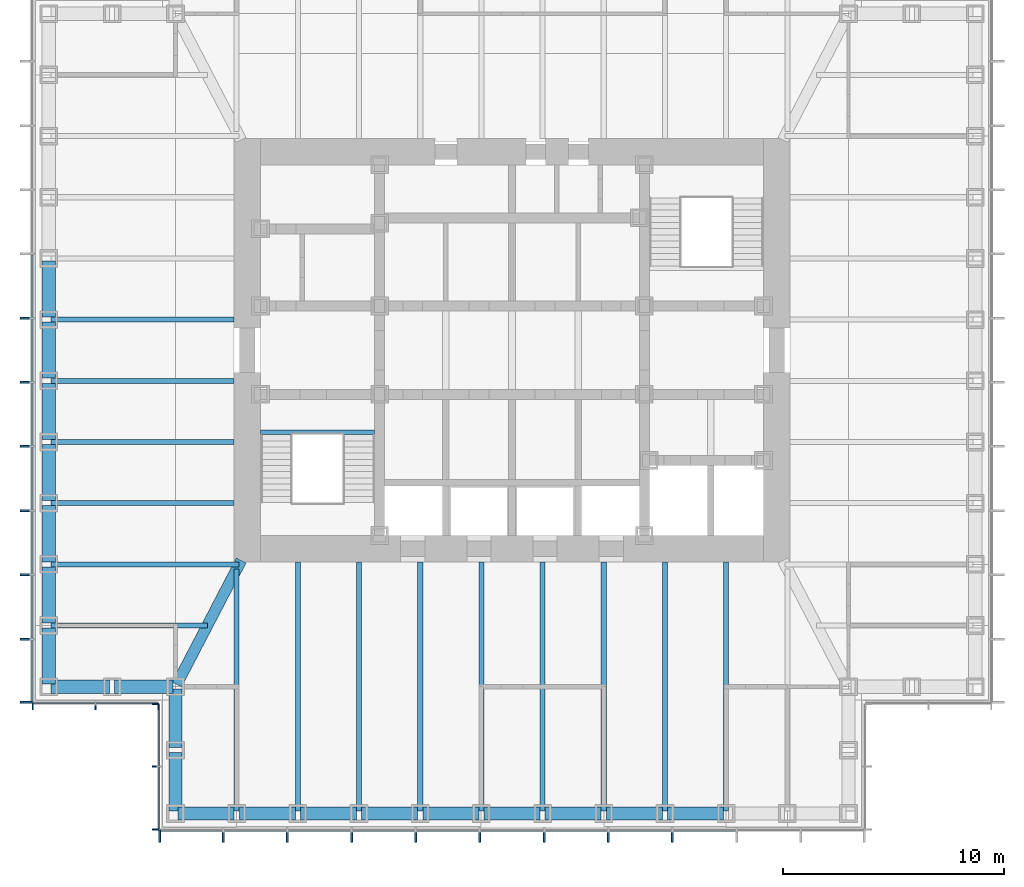
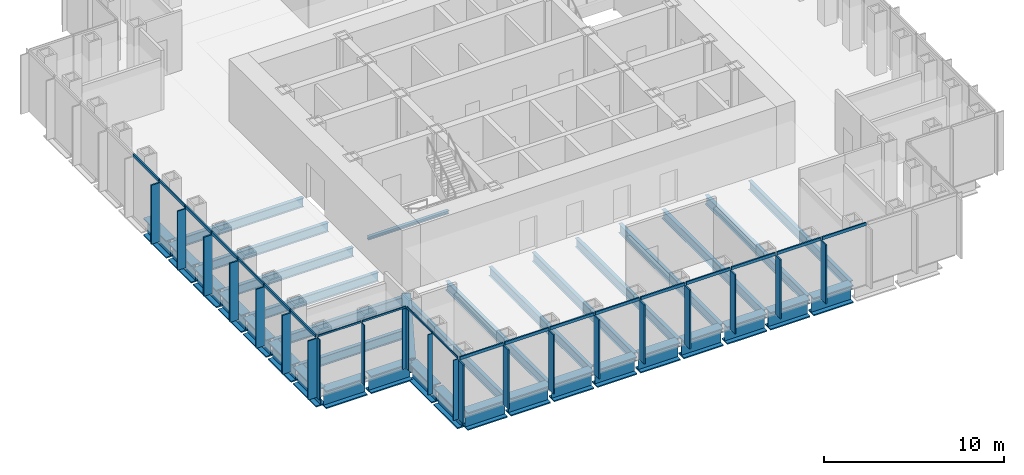
# One storey, part 2 of 16: 42 members, 37 beams, 4 elements without a shape of their own.
"""IFC4 building model written with IfcOpenShell, lengths in metres."""

from ifc_helpers import new_model, si_unit, direction, frame, origin, origin_2d, place, context, subcontext, project, spatial, rectangle, i_section, extrude, material, material_profile, profile_set, type_object, element, aggregate, save


model = new_model("IFC4")

# Units and contexts
model_context = context("Model", 3, precision=1e-05, world=origin(), true_north=direction((0.0, 1.0)))
body_context = subcontext(model_context, "Body", "Model", "MODEL_VIEW")
ifc_project = project(units=[si_unit("LENGTHUNIT", "METRE"), si_unit("AREAUNIT", "SQUARE_METRE"), si_unit("VOLUMEUNIT", "CUBIC_METRE"), si_unit("PLANEANGLEUNIT", "RADIAN"), si_unit("MASSUNIT", "GRAM", prefix="KILO")], contexts=[model_context])

# Site, building, storey
site_placement = place(None, origin())
site = spatial("IfcSite", under=ifc_project, at=site_placement, CompositionType="ELEMENT")
building_placement = place(site_placement, origin())
building = spatial("IfcBuilding", under=site, at=building_placement, Name="Daluyong Arena Tower", CompositionType="ELEMENT")
storey_placement = place(building_placement, frame((0.0, 0.0, 258.699951171875)))
storey = spatial("IfcBuildingStorey", under=building, at=storey_placement, Name="L58", CompositionType="ELEMENT", Elevation=258.699951171875)

# Curtain wall, members
ifc_material_1 = material(Name="Bronze anodised aluminium and glass", Category="aluminium")
curtain_wall_type_1 = type_object("IfcCurtainWallType", Name="Curtain wall CW4", PredefinedType="USERDEFINED", material=ifc_material_1)
curtain_wall_1_placement = place(storey_placement, origin())
curtain_wall_1 = element("IfcCurtainWall", 1, at=curtain_wall_1_placement, inside=storey, type_object=curtain_wall_type_1, Name="curtain wall L58 S", ObjectType="UNITISED CURTAIN WALL", PredefinedType="USERDEFINED")
ifc_material_2 = material(Name="Bronze anodised aluminium fin", Category="aluminium")
ifc_material_profile_1 = material_profile(ifc_material_2, rectangle(XDim=0.550048828125, YDim=0.090087890625, at=origin_2d()))
ifc_profile_set_1 = profile_set([ifc_material_profile_1], Name="Bronze anodised aluminium fin")
member_type_1 = type_object("IfcMemberType", Name="CW4 bronze fin 550x90", PredefinedType="MULLION", material=ifc_profile_set_1)
member_1_placement = place(storey_placement, frame((40.044921875, 57.97509765625, 0.0), z_axis=(0.0, 0.0, 1.0), x_axis=(0.0, 1.0, 0.0)))
member_1 = element("IfcMember", 2, at=member_1_placement, type_object=member_type_1, Name="curtain wall L58 S fin 1", PredefinedType="MULLION", context=body_context, shape_type="SweptSolid", body=[
    extrude(rectangle(XDim=0.550048828125, YDim=0.090087890625, at=origin_2d()), origin(), (0.0, 0.0, 1.0), 4.0),
])
member_2_placement = place(storey_placement, frame((42.9091796875, 57.97509765625, 0.0), z_axis=(0.0, 0.0, 1.0), x_axis=(0.0, 1.0, 0.0)))
member_2 = element("IfcMember", 3, at=member_2_placement, type_object=member_type_1, Name="curtain wall L58 S fin 2", PredefinedType="MULLION", context=body_context, shape_type="SweptSolid", body=[
    extrude(rectangle(XDim=0.550048828125, YDim=0.090087890625, at=origin_2d()), origin(), (0.0, 0.0, 1.0), 4.0),
])
member_3_placement = place(storey_placement, frame((45.818115234375, 57.97509765625, 0.0), z_axis=(0.0, 0.0, 1.0), x_axis=(0.0, 1.0, 0.0)))
member_3 = element("IfcMember", 4, at=member_3_placement, type_object=member_type_1, Name="curtain wall L58 S fin 3", PredefinedType="MULLION", context=body_context, shape_type="SweptSolid", body=[
    extrude(rectangle(XDim=0.550048828125, YDim=0.090087890625, at=origin_2d()), origin(), (0.0, 0.0, 1.0), 4.0),
])
member_4_placement = place(storey_placement, frame((48.727294921875, 57.97509765625, 0.0), z_axis=(0.0, 0.0, 1.0), x_axis=(0.0, 1.0, 0.0)))
member_4 = element("IfcMember", 5, at=member_4_placement, type_object=member_type_1, Name="curtain wall L58 S fin 4", PredefinedType="MULLION", context=body_context, shape_type="SweptSolid", body=[
    extrude(rectangle(XDim=0.550048828125, YDim=0.090087890625, at=origin_2d()), origin(), (0.0, 0.0, 1.0), 4.0),
])
member_5_placement = place(storey_placement, frame((51.636474609375, 57.97509765625, 0.0), z_axis=(0.0, 0.0, 1.0), x_axis=(0.0, 1.0, 0.0)))
member_5 = element("IfcMember", 6, at=member_5_placement, type_object=member_type_1, Name="curtain wall L58 S fin 5", PredefinedType="MULLION", context=body_context, shape_type="SweptSolid", body=[
    extrude(rectangle(XDim=0.550048828125, YDim=0.090087890625, at=origin_2d()), origin(), (0.0, 0.0, 1.0), 4.0),
])
member_6_placement = place(storey_placement, frame((54.54541015625, 57.97509765625, 0.0), z_axis=(0.0, 0.0, 1.0), x_axis=(0.0, 1.0, 0.0)))
member_6 = element("IfcMember", 7, at=member_6_placement, type_object=member_type_1, Name="curtain wall L58 S fin 6", PredefinedType="MULLION", context=body_context, shape_type="SweptSolid", body=[
    extrude(rectangle(XDim=0.550048828125, YDim=0.090087890625, at=origin_2d()), origin(), (0.0, 0.0, 1.0), 4.0),
])
member_7_placement = place(storey_placement, frame((57.45458984375, 57.97509765625, 0.0), z_axis=(0.0, 0.0, 1.0), x_axis=(0.0, 1.0, 0.0)))
member_7 = element("IfcMember", 8, at=member_7_placement, type_object=member_type_1, Name="curtain wall L58 S fin 7", PredefinedType="MULLION", context=body_context, shape_type="SweptSolid", body=[
    extrude(rectangle(XDim=0.550048828125, YDim=0.090087890625, at=origin_2d()), origin(), (0.0, 0.0, 1.0), 4.0),
])
member_8_placement = place(storey_placement, frame((60.363525390625, 57.97509765625, 0.0), z_axis=(0.0, 0.0, 1.0), x_axis=(0.0, 1.0, 0.0)))
member_8 = element("IfcMember", 9, at=member_8_placement, type_object=member_type_1, Name="curtain wall L58 S fin 8", PredefinedType="MULLION", context=body_context, shape_type="SweptSolid", body=[
    extrude(rectangle(XDim=0.550048828125, YDim=0.090087890625, at=origin_2d()), origin(), (0.0, 0.0, 1.0), 4.0),
])
member_9_placement = place(storey_placement, frame((63.272705078125, 57.97509765625, 0.0), z_axis=(0.0, 0.0, 1.0), x_axis=(0.0, 1.0, 0.0)))
member_9 = element("IfcMember", 10, at=member_9_placement, type_object=member_type_1, Name="curtain wall L58 S fin 9", PredefinedType="MULLION", context=body_context, shape_type="SweptSolid", body=[
    extrude(rectangle(XDim=0.550048828125, YDim=0.090087890625, at=origin_2d()), origin(), (0.0, 0.0, 1.0), 4.0),
])

curtain_wall_2_placement = place(storey_placement, origin())
curtain_wall_2 = element("IfcCurtainWall", 11, at=curtain_wall_2_placement, inside=storey, type_object=curtain_wall_type_1, Name="curtain wall L58 W", ObjectType="UNITISED CURTAIN WALL", PredefinedType="USERDEFINED")
member_10_placement = place(storey_placement, frame((33.97509765625, 81.45458984375, 0.0), z_axis=(0.0, 0.0, 1.0), x_axis=(1.0, 0.0, 0.0)))
member_10 = element("IfcMember", 12, at=member_10_placement, type_object=member_type_1, Name="curtain wall L58 W fin 6", PredefinedType="MULLION", context=body_context, shape_type="SweptSolid", body=[
    extrude(rectangle(XDim=0.550048828125, YDim=0.090087890625, at=origin_2d()), origin(), (0.0, 0.0, 1.0), 4.0),
])
member_11_placement = place(storey_placement, frame((33.97509765625, 78.54541015625, 0.0), z_axis=(0.0, 0.0, 1.0), x_axis=(1.0, 0.0, 0.0)))
member_11 = element("IfcMember", 13, at=member_11_placement, type_object=member_type_1, Name="curtain wall L58 W fin 7", PredefinedType="MULLION", context=body_context, shape_type="SweptSolid", body=[
    extrude(rectangle(XDim=0.550048828125, YDim=0.090087890625, at=origin_2d()), origin(), (0.0, 0.0, 1.0), 4.0),
])
member_12_placement = place(storey_placement, frame((33.97509765625, 75.636474609375, 0.0), z_axis=(0.0, 0.0, 1.0), x_axis=(1.0, 0.0, 0.0)))
member_12 = element("IfcMember", 14, at=member_12_placement, type_object=member_type_1, Name="curtain wall L58 W fin 8", PredefinedType="MULLION", context=body_context, shape_type="SweptSolid", body=[
    extrude(rectangle(XDim=0.550048828125, YDim=0.090087890625, at=origin_2d()), origin(), (0.0, 0.0, 1.0), 4.0),
])
member_13_placement = place(storey_placement, frame((33.97509765625, 72.727294921875, 0.0), z_axis=(0.0, 0.0, 1.0), x_axis=(1.0, 0.0, 0.0)))
member_13 = element("IfcMember", 15, at=member_13_placement, type_object=member_type_1, Name="curtain wall L58 W fin 9", PredefinedType="MULLION", context=body_context, shape_type="SweptSolid", body=[
    extrude(rectangle(XDim=0.550048828125, YDim=0.090087890625, at=origin_2d()), origin(), (0.0, 0.0, 1.0), 4.0),
])
member_14_placement = place(storey_placement, frame((33.97509765625, 69.818115234375, 0.0), z_axis=(0.0, 0.0, 1.0), x_axis=(1.0, 0.0, 0.0)))
member_14 = element("IfcMember", 16, at=member_14_placement, type_object=member_type_1, Name="curtain wall L58 W fin 10", PredefinedType="MULLION", context=body_context, shape_type="SweptSolid", body=[
    extrude(rectangle(XDim=0.550048828125, YDim=0.090087890625, at=origin_2d()), origin(), (0.0, 0.0, 1.0), 4.0),
])
member_15_placement = place(storey_placement, frame((33.97509765625, 66.9091796875, 0.0), z_axis=(0.0, 0.0, 1.0), x_axis=(1.0, 0.0, 0.0)))
member_15 = element("IfcMember", 17, at=member_15_placement, type_object=member_type_1, Name="curtain wall L58 W fin 11", PredefinedType="MULLION", context=body_context, shape_type="SweptSolid", body=[
    extrude(rectangle(XDim=0.550048828125, YDim=0.090087890625, at=origin_2d()), origin(), (0.0, 0.0, 1.0), 4.0),
])
member_16_placement = place(storey_placement, frame((33.97509765625, 64.044921875, 0.0), z_axis=(0.0, 0.0, 1.0), x_axis=(1.0, 0.0, 0.0)))
member_16 = element("IfcMember", 18, at=member_16_placement, type_object=member_type_1, Name="curtain wall L58 W fin 12", PredefinedType="MULLION", context=body_context, shape_type="SweptSolid", body=[
    extrude(rectangle(XDim=0.550048828125, YDim=0.090087890625, at=origin_2d()), origin(), (0.0, 0.0, 1.0), 4.0),
])

# Member
ifc_material_3 = material(Name="Bronze anodised aluminium", Category="aluminium")
ifc_material_profile_2 = material_profile(ifc_material_3, rectangle(XDim=0.090087890625, YDim=0.199951171875, at=origin_2d()))
ifc_profile_set_2 = profile_set([ifc_material_profile_2], Name="Bronze anodised aluminium")
member_type_2 = type_object("IfcMemberType", Name="CW4 stack transom 200x90", PredefinedType="USERDEFINED", material=ifc_profile_set_2)
member_17_placement = place(storey_placement, frame((40.090087890625, 58.25, 4.10009765625), z_axis=(1.0, 0.0, 0.0), x_axis=(0.0, 1.0, 0.0)))
member_17 = element("IfcMember", 19, at=member_17_placement, type_object=member_type_2, Name="curtain wall L58 S transom 1", ObjectType="TRANSOM", PredefinedType="USERDEFINED", context=body_context, shape_type="SweptSolid", body=[
    extrude(rectangle(XDim=0.090087890625, YDim=0.199951171875, at=origin_2d()), origin(), (0.0, 0.0, 1.0), 2.77392578125),
])

member_18_placement = place(storey_placement, frame((42.9541015625, 58.25, 4.10009765625), z_axis=(1.0, 0.0, 0.0), x_axis=(0.0, 1.0, 0.0)))
member_18 = element("IfcMember", 20, at=member_18_placement, type_object=member_type_2, Name="curtain wall L58 S transom 2", ObjectType="TRANSOM", PredefinedType="USERDEFINED", context=body_context, shape_type="SweptSolid", body=[
    extrude(rectangle(XDim=0.090087890625, YDim=0.199951171875, at=origin_2d()), origin(), (0.0, 0.0, 1.0), 2.819091796875),
])

member_19_placement = place(storey_placement, frame((45.86328125, 58.25, 4.10009765625), z_axis=(1.0, 0.0, 0.0), x_axis=(0.0, 1.0, 0.0)))
member_19 = element("IfcMember", 21, at=member_19_placement, type_object=member_type_2, Name="curtain wall L58 S transom 3", ObjectType="TRANSOM", PredefinedType="USERDEFINED", context=body_context, shape_type="SweptSolid", body=[
    extrude(rectangle(XDim=0.090087890625, YDim=0.199951171875, at=origin_2d()), origin(), (0.0, 0.0, 1.0), 2.819091796875),
])

member_20_placement = place(storey_placement, frame((48.772216796875, 58.25, 4.10009765625), z_axis=(1.0, 0.0, 0.0), x_axis=(0.0, 1.0, 0.0)))
member_20 = element("IfcMember", 22, at=member_20_placement, type_object=member_type_2, Name="curtain wall L58 S transom 4", ObjectType="TRANSOM", PredefinedType="USERDEFINED", context=body_context, shape_type="SweptSolid", body=[
    extrude(rectangle(XDim=0.090087890625, YDim=0.199951171875, at=origin_2d()), origin(), (0.0, 0.0, 1.0), 2.819091796875),
])

member_21_placement = place(storey_placement, frame((51.681396484375, 58.25, 4.10009765625), z_axis=(1.0, 0.0, 0.0), x_axis=(0.0, 1.0, 0.0)))
member_21 = element("IfcMember", 23, at=member_21_placement, type_object=member_type_2, Name="curtain wall L58 S transom 5", ObjectType="TRANSOM", PredefinedType="USERDEFINED", context=body_context, shape_type="SweptSolid", body=[
    extrude(rectangle(XDim=0.090087890625, YDim=0.199951171875, at=origin_2d()), origin(), (0.0, 0.0, 1.0), 2.819091796875),
])

member_22_placement = place(storey_placement, frame((54.590576171875, 58.25, 4.10009765625), z_axis=(1.0, 0.0, 0.0), x_axis=(0.0, 1.0, 0.0)))
member_22 = element("IfcMember", 24, at=member_22_placement, type_object=member_type_2, Name="curtain wall L58 S transom 6", ObjectType="TRANSOM", PredefinedType="USERDEFINED", context=body_context, shape_type="SweptSolid", body=[
    extrude(rectangle(XDim=0.090087890625, YDim=0.199951171875, at=origin_2d()), origin(), (0.0, 0.0, 1.0), 2.81884765625),
])

member_23_placement = place(storey_placement, frame((57.49951171875, 58.25, 4.10009765625), z_axis=(1.0, 0.0, 0.0), x_axis=(0.0, 1.0, 0.0)))
member_23 = element("IfcMember", 25, at=member_23_placement, type_object=member_type_2, Name="curtain wall L58 S transom 7", ObjectType="TRANSOM", PredefinedType="USERDEFINED", context=body_context, shape_type="SweptSolid", body=[
    extrude(rectangle(XDim=0.090087890625, YDim=0.199951171875, at=origin_2d()), origin(), (0.0, 0.0, 1.0), 2.819091796875),
])

member_24_placement = place(storey_placement, frame((60.40869140625, 58.25, 4.10009765625), z_axis=(1.0, 0.0, 0.0), x_axis=(0.0, 1.0, 0.0)))
member_24 = element("IfcMember", 26, at=member_24_placement, type_object=member_type_2, Name="curtain wall L58 S transom 8", ObjectType="TRANSOM", PredefinedType="USERDEFINED", context=body_context, shape_type="SweptSolid", body=[
    extrude(rectangle(XDim=0.090087890625, YDim=0.199951171875, at=origin_2d()), origin(), (0.0, 0.0, 1.0), 2.819091796875),
])

member_25_placement = place(storey_placement, frame((63.317626953125, 58.25, 4.10009765625), z_axis=(1.0, 0.0, 0.0), x_axis=(0.0, 1.0, 0.0)))
member_25 = element("IfcMember", 27, at=member_25_placement, type_object=member_type_2, Name="curtain wall L58 S transom 9", ObjectType="TRANSOM", PredefinedType="USERDEFINED", context=body_context, shape_type="SweptSolid", body=[
    extrude(rectangle(XDim=0.090087890625, YDim=0.199951171875, at=origin_2d()), origin(), (0.0, 0.0, 1.0), 2.819091796875),
])

aggregate(curtain_wall_1, [member_1, member_2, member_3, member_4, member_5, member_6, member_7, member_8, member_9, member_17, member_18, member_19, member_20, member_21, member_22, member_23, member_24, member_25])

member_26_placement = place(storey_placement, frame((34.25, 84.318603515625, 4.10009765625), z_axis=(0.0, -1.0, 0.0), x_axis=(1.0, 0.0, 0.0)))
member_26 = element("IfcMember", 28, at=member_26_placement, type_object=member_type_2, Name="curtain wall L58 W transom 5", ObjectType="TRANSOM", PredefinedType="USERDEFINED", context=body_context, shape_type="SweptSolid", body=[
    extrude(rectangle(XDim=0.090087890625, YDim=0.199951171875, at=origin_2d()), origin(), (0.0, 0.0, 1.0), 2.819091796875),
])

member_27_placement = place(storey_placement, frame((34.25, 81.409423828125, 4.10009765625), z_axis=(0.0, -1.0, 0.0), x_axis=(1.0, 0.0, 0.0)))
member_27 = element("IfcMember", 29, at=member_27_placement, type_object=member_type_2, Name="curtain wall L58 W transom 6", ObjectType="TRANSOM", PredefinedType="USERDEFINED", context=body_context, shape_type="SweptSolid", body=[
    extrude(rectangle(XDim=0.090087890625, YDim=0.199951171875, at=origin_2d()), origin(), (0.0, 0.0, 1.0), 2.81884765625),
])

member_28_placement = place(storey_placement, frame((34.25, 78.50048828125, 4.10009765625), z_axis=(0.0, -1.0, 0.0), x_axis=(1.0, 0.0, 0.0)))
member_28 = element("IfcMember", 30, at=member_28_placement, type_object=member_type_2, Name="curtain wall L58 W transom 7", ObjectType="TRANSOM", PredefinedType="USERDEFINED", context=body_context, shape_type="SweptSolid", body=[
    extrude(rectangle(XDim=0.090087890625, YDim=0.199951171875, at=origin_2d()), origin(), (0.0, 0.0, 1.0), 2.819091796875),
])

member_29_placement = place(storey_placement, frame((34.25, 75.59130859375, 4.10009765625), z_axis=(0.0, -1.0, 0.0), x_axis=(1.0, 0.0, 0.0)))
member_29 = element("IfcMember", 31, at=member_29_placement, type_object=member_type_2, Name="curtain wall L58 W transom 8", ObjectType="TRANSOM", PredefinedType="USERDEFINED", context=body_context, shape_type="SweptSolid", body=[
    extrude(rectangle(XDim=0.090087890625, YDim=0.199951171875, at=origin_2d()), origin(), (0.0, 0.0, 1.0), 2.819091796875),
])

member_30_placement = place(storey_placement, frame((34.25, 72.682373046875, 4.10009765625), z_axis=(0.0, -1.0, 0.0), x_axis=(1.0, 0.0, 0.0)))
member_30 = element("IfcMember", 32, at=member_30_placement, type_object=member_type_2, Name="curtain wall L58 W transom 9", ObjectType="TRANSOM", PredefinedType="USERDEFINED", context=body_context, shape_type="SweptSolid", body=[
    extrude(rectangle(XDim=0.090087890625, YDim=0.199951171875, at=origin_2d()), origin(), (0.0, 0.0, 1.0), 2.819091796875),
])

member_31_placement = place(storey_placement, frame((34.25, 69.773193359375, 4.10009765625), z_axis=(0.0, -1.0, 0.0), x_axis=(1.0, 0.0, 0.0)))
member_31 = element("IfcMember", 33, at=member_31_placement, type_object=member_type_2, Name="curtain wall L58 W transom 10", ObjectType="TRANSOM", PredefinedType="USERDEFINED", context=body_context, shape_type="SweptSolid", body=[
    extrude(rectangle(XDim=0.090087890625, YDim=0.199951171875, at=origin_2d()), origin(), (0.0, 0.0, 1.0), 2.819091796875),
])

member_32_placement = place(storey_placement, frame((34.25, 66.864013671875, 4.10009765625), z_axis=(0.0, -1.0, 0.0), x_axis=(1.0, 0.0, 0.0)))
member_32 = element("IfcMember", 34, at=member_32_placement, type_object=member_type_2, Name="curtain wall L58 W transom 11", ObjectType="TRANSOM", PredefinedType="USERDEFINED", context=body_context, shape_type="SweptSolid", body=[
    extrude(rectangle(XDim=0.090087890625, YDim=0.199951171875, at=origin_2d()), origin(), (0.0, 0.0, 1.0), 2.77392578125),
])

aggregate(curtain_wall_2, [member_10, member_11, member_12, member_13, member_14, member_15, member_16, member_26, member_27, member_28, member_29, member_30, member_31, member_32])

# Curtain wall, members
ifc_material_4 = material(Name="Bronze anodised aluminium and glass", Category="aluminium")
curtain_wall_type_2 = type_object("IfcCurtainWallType", Name="Curtain wall CW7", PredefinedType="USERDEFINED", material=ifc_material_4)
curtain_wall_3_placement = place(storey_placement, origin())
curtain_wall_3 = element("IfcCurtainWall", 35, at=curtain_wall_3_placement, inside=storey, type_object=curtain_wall_type_2, Name="curtain wall L58 SW-S", ObjectType="UNITISED CURTAIN WALL", PredefinedType="USERDEFINED")
ifc_material_5 = material(Name="Bronze anodised aluminium fin", Category="aluminium")
ifc_material_profile_3 = material_profile(ifc_material_5, rectangle(XDim=0.300048828125, YDim=0.06005859375, at=origin_2d()))
ifc_profile_set_3 = profile_set([ifc_material_profile_3], Name="Bronze anodised aluminium fin")
member_type_3 = type_object("IfcMemberType", Name="CW7 bronze fin 300x60", PredefinedType="MULLION", material=ifc_profile_set_3)
member_33_placement = place(storey_placement, frame((34.280029296875, 63.85009765625, 0.0), z_axis=(0.0, 0.0, 1.0), x_axis=(0.0, 1.0, 0.0)))
member_33 = element("IfcMember", 36, at=member_33_placement, type_object=member_type_3, Name="curtain wall L58 SW-S fin 1", PredefinedType="MULLION", context=body_context, shape_type="SweptSolid", body=[
    extrude(rectangle(XDim=0.300048828125, YDim=0.06005859375, at=origin_2d()), origin(), (0.0, 0.0, 1.0), 4.080078125),
])
member_34_placement = place(storey_placement, frame((37.125, 63.85009765625, 0.0), z_axis=(0.0, 0.0, 1.0), x_axis=(0.0, 1.0, 0.0)))
member_34 = element("IfcMember", 37, at=member_34_placement, type_object=member_type_3, Name="curtain wall L58 SW-S fin 2", PredefinedType="MULLION", context=body_context, shape_type="SweptSolid", body=[
    extrude(rectangle(XDim=0.300048828125, YDim=0.06005859375, at=origin_2d()), origin(), (0.0, 0.0, 1.0), 4.080078125),
])
member_35_placement = place(storey_placement, frame((39.969970703125, 63.85009765625, 0.0), z_axis=(0.0, 0.0, 1.0), x_axis=(0.0, 1.0, 0.0)))
member_35 = element("IfcMember", 38, at=member_35_placement, type_object=member_type_3, Name="curtain wall L58 SW-S fin 3", PredefinedType="MULLION", context=body_context, shape_type="SweptSolid", body=[
    extrude(rectangle(XDim=0.300048828125, YDim=0.06005859375, at=origin_2d()), origin(), (0.0, 0.0, 1.0), 4.080078125),
])

curtain_wall_4_placement = place(storey_placement, origin())
curtain_wall_4 = element("IfcCurtainWall", 39, at=curtain_wall_4_placement, inside=storey, type_object=curtain_wall_type_2, Name="curtain wall L58 SW-W", ObjectType="UNITISED CURTAIN WALL", PredefinedType="USERDEFINED")
member_36_placement = place(storey_placement, frame((39.85009765625, 63.969970703125, 0.0), z_axis=(0.0, 0.0, 1.0), x_axis=(1.0, 0.0, 0.0)))
member_36 = element("IfcMember", 40, at=member_36_placement, type_object=member_type_3, Name="curtain wall L58 SW-W fin 1", PredefinedType="MULLION", context=body_context, shape_type="SweptSolid", body=[
    extrude(rectangle(XDim=0.300048828125, YDim=0.06005859375, at=origin_2d()), origin(), (0.0, 0.0, 1.0), 4.080078125),
])
member_37_placement = place(storey_placement, frame((39.85009765625, 61.125, 0.0), z_axis=(0.0, 0.0, 1.0), x_axis=(1.0, 0.0, 0.0)))
member_37 = element("IfcMember", 41, at=member_37_placement, type_object=member_type_3, Name="curtain wall L58 SW-W fin 2", PredefinedType="MULLION", context=body_context, shape_type="SweptSolid", body=[
    extrude(rectangle(XDim=0.300048828125, YDim=0.06005859375, at=origin_2d()), origin(), (0.0, 0.0, 1.0), 4.080078125),
])
member_38_placement = place(storey_placement, frame((39.85009765625, 58.280029296875, 0.0), z_axis=(0.0, 0.0, 1.0), x_axis=(1.0, 0.0, 0.0)))
member_38 = element("IfcMember", 42, at=member_38_placement, type_object=member_type_3, Name="curtain wall L58 SW-W fin 3", PredefinedType="MULLION", context=body_context, shape_type="SweptSolid", body=[
    extrude(rectangle(XDim=0.300048828125, YDim=0.06005859375, at=origin_2d()), origin(), (0.0, 0.0, 1.0), 4.080078125),
])

# Member
ifc_material_6 = material(Name="Bronze anodised aluminium", Category="aluminium")
ifc_material_profile_4 = material_profile(ifc_material_6, rectangle(XDim=0.06005859375, YDim=0.1201171875, at=origin_2d()))
ifc_profile_set_4 = profile_set([ifc_material_profile_4], Name="Bronze anodised aluminium")
member_type_4 = type_object("IfcMemberType", Name="CW7 stack transom 120x60", PredefinedType="USERDEFINED", material=ifc_profile_set_4)
member_39_placement = place(storey_placement, frame((34.31005859375, 64.0, 4.14013671875), z_axis=(1.0, 0.0, 0.0), x_axis=(0.0, 1.0, 0.0)))
member_39 = element("IfcMember", 43, at=member_39_placement, type_object=member_type_4, Name="curtain wall L58 SW-S transom 1", ObjectType="TRANSOM", PredefinedType="USERDEFINED", context=body_context, shape_type="SweptSolid", body=[
    extrude(rectangle(XDim=0.06005859375, YDim=0.1201171875, at=origin_2d()), origin(), (0.0, 0.0, 1.0), 2.784912109375),
])

member_40_placement = place(storey_placement, frame((37.155029296875, 64.0, 4.14013671875), z_axis=(1.0, 0.0, 0.0), x_axis=(0.0, 1.0, 0.0)))
member_40 = element("IfcMember", 44, at=member_40_placement, type_object=member_type_4, Name="curtain wall L58 SW-S transom 2", ObjectType="TRANSOM", PredefinedType="USERDEFINED", context=body_context, shape_type="SweptSolid", body=[
    extrude(rectangle(XDim=0.06005859375, YDim=0.1201171875, at=origin_2d()), origin(), (0.0, 0.0, 1.0), 2.784912109375),
])

aggregate(curtain_wall_3, [member_33, member_34, member_35, member_39, member_40])

member_41_placement = place(storey_placement, frame((40.0, 63.93994140625, 4.14013671875), z_axis=(0.0, -1.0, 0.0), x_axis=(1.0, 0.0, 0.0)))
member_41 = element("IfcMember", 45, at=member_41_placement, type_object=member_type_4, Name="curtain wall L58 SW-W transom 1", ObjectType="TRANSOM", PredefinedType="USERDEFINED", context=body_context, shape_type="SweptSolid", body=[
    extrude(rectangle(XDim=0.06005859375, YDim=0.1201171875, at=origin_2d()), origin(), (0.0, 0.0, 1.0), 2.784912109375),
])

member_42_placement = place(storey_placement, frame((40.0, 61.094970703125, 4.14013671875), z_axis=(0.0, -1.0, 0.0), x_axis=(1.0, 0.0, 0.0)))
member_42 = element("IfcMember", 46, at=member_42_placement, type_object=member_type_4, Name="curtain wall L58 SW-W transom 2", ObjectType="TRANSOM", PredefinedType="USERDEFINED", context=body_context, shape_type="SweptSolid", body=[
    extrude(rectangle(XDim=0.06005859375, YDim=0.1201171875, at=origin_2d()), origin(), (0.0, 0.0, 1.0), 2.784912109375),
])

aggregate(curtain_wall_4, [member_36, member_37, member_38, member_41, member_42])

# Beams
ifc_material_7 = material(Name="Steel ASTM A572 Grade 50", Category="steel")
ifc_material_profile_5 = material_profile(ifc_material_7, i_section(OverallWidth=0.5, OverallDepth=1.0, WebThickness=0.03, FlangeThickness=0.06, at=origin_2d()))
ifc_profile_set_5 = profile_set([ifc_material_profile_5], Name="Steel ASTM A572 Grade 50")
beam_type_1 = type_object("IfcBeamType", Name="Corner girder TB1000X500", PredefinedType="BEAM", material=ifc_profile_set_5)
beam_1_placement = place(storey_placement, frame((40.802978515625, 64.85205078125, -0.659912109375), z_axis=(0.461351522179, 0.887217432754, 0.0), x_axis=(-0.887217432754, 0.461351522179, 0.0)))
element("IfcBeam", 47, at=beam_1_placement, inside=storey, type_object=beam_type_1, Name="corner girder DG2", PredefinedType="BEAM", context=body_context, shape_type="SweptSolid", body=[
    extrude(i_section(OverallWidth=0.5, OverallDepth=1.0, WebThickness=0.03, FlangeThickness=0.06, at=origin_2d()), origin(), (0.0, 0.0, 1.0), 6.32958984375),
])
ifc_material_8 = material(Name="Steel ASTM A992 Grade 50", Category="steel")
ifc_material_profile_6 = material_profile(ifc_material_8, i_section(OverallWidth=0.22900390625, OverallDepth=0.612060546875, WebThickness=0.011962890625, FlangeThickness=0.01953125, at=origin_2d()))
ifc_profile_set_6 = profile_set([ifc_material_profile_6], Name="Steel ASTM A992 Grade 50")
beam_type_2 = type_object("IfcBeamType", Name="Floor beam W24X84", PredefinedType="BEAM", material=ifc_profile_set_6)
beam_2_placement = place(storey_placement, frame((43.522705078125, 59.114990234375, -0.466064453125), z_axis=(0.0, 1.0, 0.0), x_axis=(-1.0, 0.0, 0.0)))
element("IfcBeam", 48, at=beam_2_placement, inside=storey, type_object=beam_type_2, Name="floor beam FB3", PredefinedType="BEAM", context=body_context, shape_type="SweptSolid", body=[
    extrude(i_section(OverallWidth=0.22900390625, OverallDepth=0.612060546875, WebThickness=0.011962890625, FlangeThickness=0.01953125, at=origin_2d()), origin(), (0.0, 0.0, 1.0), 10.96728515625),
])
for number, where, z_axis, x_axis, name in (
    (49, (46.29541015625, 59.114990234375, -0.466064453125), (0.0, 1.0, 0.0), (-1.0, 0.0, 0.0), "floor beam FB3"),
    (50, (49.068115234375, 59.114990234375, -0.466064453125), (0.0, 1.0, 0.0), (-1.0, 0.0, 0.0), "floor beam FB3"),
    (51, (51.8408203125, 59.114990234375, -0.466064453125), (0.0, 1.0, 0.0), (-1.0, 0.0, 0.0), "floor beam FB3"),
    (52, (54.613525390625, 59.114990234375, -0.466064453125), (0.0, 1.0, 0.0), (-1.0, 0.0, 0.0), "floor beam FB3"),
    (53, (57.386474609375, 59.114990234375, -0.466064453125), (0.0, 1.0, 0.0), (-1.0, 0.0, 0.0), "floor beam FB3"),
    (54, (60.1591796875, 59.114990234375, -0.466064453125), (0.0, 1.0, 0.0), (-1.0, 0.0, 0.0), "floor beam FB3"),
    (55, (62.931884765625, 59.114990234375, -0.466064453125), (0.0, 1.0, 0.0), (-1.0, 0.0, 0.0), "floor beam FB3"),
    (56, (65.70458984375, 59.114990234375, -0.466064453125), (0.0, 1.0, 0.0), (-1.0, 0.0, 0.0), "floor beam FB3"),
):
    element("IfcBeam", number, at=place(storey_placement, frame(where, z_axis=z_axis, x_axis=x_axis)), inside=storey, type_object=beam_type_2, Name=name, PredefinedType="BEAM", context=body_context, shape_type="SweptSolid", body=[
        extrude(i_section(OverallWidth=0.22900390625, OverallDepth=0.612060546875, WebThickness=0.011962890625, FlangeThickness=0.01953125, at=origin_2d()), origin(), (0.0, 0.0, 1.0), 11.284912109375),
    ])
for number, where, z_axis, x_axis, name in (
    (57, (35.114990234375, 81.386474609375, -0.466064453125), (1.0, 0.0, 0.0), (0.0, 1.0, 0.0), "floor beam FB3"),
    (58, (35.114990234375, 78.613525390625, -0.466064453125), (1.0, 0.0, 0.0), (0.0, 1.0, 0.0), "floor beam FB3"),
    (59, (35.114990234375, 75.8408203125, -0.466064453125), (1.0, 0.0, 0.0), (0.0, 1.0, 0.0), "floor beam FB3"),
    (60, (35.114990234375, 73.068115234375, -0.466064453125), (1.0, 0.0, 0.0), (0.0, 1.0, 0.0), "floor beam FB3"),
):
    element("IfcBeam", number, at=place(storey_placement, frame(where, z_axis=z_axis, x_axis=x_axis)), inside=storey, type_object=beam_type_2, Name=name, PredefinedType="BEAM", context=body_context, shape_type="SweptSolid", body=[
        extrude(i_section(OverallWidth=0.22900390625, OverallDepth=0.612060546875, WebThickness=0.011962890625, FlangeThickness=0.01953125, at=origin_2d()), origin(), (0.0, 0.0, 1.0), 8.284912109375),
    ])
beam_3_placement = place(storey_placement, frame((35.114990234375, 70.29541015625, -0.466064453125), z_axis=(1.0, 0.0, 0.0), x_axis=(0.0, 1.0, 0.0)))
element("IfcBeam", 61, at=beam_3_placement, inside=storey, type_object=beam_type_2, Name="floor beam FB3", PredefinedType="BEAM", context=body_context, shape_type="SweptSolid", body=[
    extrude(i_section(OverallWidth=0.22900390625, OverallDepth=0.612060546875, WebThickness=0.011962890625, FlangeThickness=0.01953125, at=origin_2d()), origin(), (0.0, 0.0, 1.0), 8.5185546875),
])
beam_4_placement = place(storey_placement, frame((35.114990234375, 67.522705078125, -0.466064453125), z_axis=(1.0, 0.0, 0.0), x_axis=(0.0, 1.0, 0.0)))
element("IfcBeam", 62, at=beam_4_placement, inside=storey, type_object=beam_type_2, Name="floor beam FB3", PredefinedType="BEAM", context=body_context, shape_type="SweptSolid", body=[
    extrude(i_section(OverallWidth=0.22900390625, OverallDepth=0.612060546875, WebThickness=0.011962890625, FlangeThickness=0.01953125, at=origin_2d()), origin(), (0.0, 0.0, 1.0), 7.076904296875),
])
ifc_material_9 = material(Name="Steel ASTM A572 Grade 50", Category="steel")
ifc_material_profile_7 = material_profile(ifc_material_9, i_section(OverallWidth=0.60009765625, OverallDepth=1.199951171875, WebThickness=0.03, FlangeThickness=0.08, at=origin_2d()))
ifc_profile_set_7 = profile_set([ifc_material_profile_7], Name="Steel ASTM A572 Grade 50")
beam_type_3 = type_object("IfcBeamType", Name="Spandrel Z4 PG1200X600", PredefinedType="SPANDREL", material=ifc_profile_set_7)
for number, where, z_axis, x_axis, name in (
    (63, (40.864990234375, 59.0, -0.760009765625), (1.0, 0.0, 0.0), (0.0, 1.0, 0.0), "spandrel z4 SB9"),
    (64, (43.6376953125, 59.0, -0.760009765625), (1.0, 0.0, 0.0), (0.0, 1.0, 0.0), "spandrel z4 SB9"),
    (65, (46.410400390625, 59.0, -0.760009765625), (1.0, 0.0, 0.0), (0.0, 1.0, 0.0), "spandrel z4 SB9"),
    (66, (49.18310546875, 59.0, -0.760009765625), (1.0, 0.0, 0.0), (0.0, 1.0, 0.0), "spandrel z4 SB9"),
    (67, (51.955810546875, 59.0, -0.760009765625), (1.0, 0.0, 0.0), (0.0, 1.0, 0.0), "spandrel z4 SB9"),
):
    element("IfcBeam", number, at=place(storey_placement, frame(where, z_axis=z_axis, x_axis=x_axis)), inside=storey, type_object=beam_type_3, Name=name, PredefinedType="SPANDREL", context=body_context, shape_type="SweptSolid", body=[
        extrude(i_section(OverallWidth=0.60009765625, OverallDepth=1.199951171875, WebThickness=0.03, FlangeThickness=0.08, at=origin_2d()), origin(), (0.0, 0.0, 1.0), 2.542724609375),
    ])
beam_5_placement = place(storey_placement, frame((54.728515625, 59.0, -0.760009765625), z_axis=(1.0, 0.0, 0.0), x_axis=(0.0, 1.0, 0.0)))
element("IfcBeam", 68, at=beam_5_placement, inside=storey, type_object=beam_type_3, Name="spandrel z4 SB9", PredefinedType="SPANDREL", context=body_context, shape_type="SweptSolid", body=[
    extrude(i_section(OverallWidth=0.60009765625, OverallDepth=1.199951171875, WebThickness=0.03, FlangeThickness=0.08, at=origin_2d()), origin(), (0.0, 0.0, 1.0), 2.54296875),
])
for number, where, z_axis, x_axis, name in (
    (69, (57.50146484375, 59.0, -0.760009765625), (1.0, 0.0, 0.0), (0.0, 1.0, 0.0), "spandrel z4 SB9"),
    (70, (60.274169921875, 59.0, -0.760009765625), (1.0, 0.0, 0.0), (0.0, 1.0, 0.0), "spandrel z4 SB9"),
    (71, (63.046875, 59.0, -0.760009765625), (1.0, 0.0, 0.0), (0.0, 1.0, 0.0), "spandrel z4 SB9"),
    (72, (35.0, 84.044189453125, -0.760009765625), (0.0, -1.0, 0.0), (1.0, 0.0, 0.0), "spandrel z4 SB9"),
):
    element("IfcBeam", number, at=place(storey_placement, frame(where, z_axis=z_axis, x_axis=x_axis)), inside=storey, type_object=beam_type_3, Name=name, PredefinedType="SPANDREL", context=body_context, shape_type="SweptSolid", body=[
        extrude(i_section(OverallWidth=0.60009765625, OverallDepth=1.199951171875, WebThickness=0.03, FlangeThickness=0.08, at=origin_2d()), origin(), (0.0, 0.0, 1.0), 2.542724609375),
    ])
beam_6_placement = place(storey_placement, frame((35.0, 81.271484375, -0.760009765625), z_axis=(0.0, -1.0, 0.0), x_axis=(1.0, 0.0, 0.0)))
element("IfcBeam", 73, at=beam_6_placement, inside=storey, type_object=beam_type_3, Name="spandrel z4 SB9", PredefinedType="SPANDREL", context=body_context, shape_type="SweptSolid", body=[
    extrude(i_section(OverallWidth=0.60009765625, OverallDepth=1.199951171875, WebThickness=0.03, FlangeThickness=0.08, at=origin_2d()), origin(), (0.0, 0.0, 1.0), 2.54296875),
])
for number, where, z_axis, x_axis, name in (
    (74, (35.0, 78.49853515625, -0.760009765625), (0.0, -1.0, 0.0), (1.0, 0.0, 0.0), "spandrel z4 SB9"),
    (75, (35.0, 75.725830078125, -0.760009765625), (0.0, -1.0, 0.0), (1.0, 0.0, 0.0), "spandrel z4 SB9"),
    (76, (35.0, 72.953125, -0.760009765625), (0.0, -1.0, 0.0), (1.0, 0.0, 0.0), "spandrel z4 SB9"),
    (77, (35.0, 70.180419921875, -0.760009765625), (0.0, -1.0, 0.0), (1.0, 0.0, 0.0), "spandrel z4 SB9"),
    (78, (35.0, 67.40771484375, -0.760009765625), (0.0, -1.0, 0.0), (1.0, 0.0, 0.0), "spandrel z4 SB9"),
):
    element("IfcBeam", number, at=place(storey_placement, frame(where, z_axis=z_axis, x_axis=x_axis)), inside=storey, type_object=beam_type_3, Name=name, PredefinedType="SPANDREL", context=body_context, shape_type="SweptSolid", body=[
        extrude(i_section(OverallWidth=0.60009765625, OverallDepth=1.199951171875, WebThickness=0.03, FlangeThickness=0.08, at=origin_2d()), origin(), (0.0, 0.0, 1.0), 2.542724609375),
    ])
for number, where, z_axis, x_axis, name in (
    (79, (35.114990234375, 64.75, -0.760009765625), (1.0, 0.0, 0.0), (0.0, 1.0, 0.0), "spandrel z4 SB9"),
    (80, (37.989990234375, 64.75, -0.760009765625), (1.0, 0.0, 0.0), (0.0, 1.0, 0.0), "spandrel z4 SB9"),
    (81, (40.75, 64.635009765625, -0.760009765625), (0.0, -1.0, 0.0), (1.0, 0.0, 0.0), "spandrel z4 SB9"),
    (82, (40.75, 61.760009765625, -0.760009765625), (0.0, -1.0, 0.0), (1.0, 0.0, 0.0), "spandrel z4 SB9"),
):
    element("IfcBeam", number, at=place(storey_placement, frame(where, z_axis=z_axis, x_axis=x_axis)), inside=storey, type_object=beam_type_3, Name=name, PredefinedType="SPANDREL", context=body_context, shape_type="SweptSolid", body=[
        extrude(i_section(OverallWidth=0.60009765625, OverallDepth=1.199951171875, WebThickness=0.03, FlangeThickness=0.08, at=origin_2d()), origin(), (0.0, 0.0, 1.0), 2.64501953125),
    ])
ifc_material_10 = material(Name="Steel ASTM A992 Grade 50", Category="steel")
ifc_material_profile_8 = material_profile(ifc_material_10, i_section(OverallWidth=0.203125, OverallDepth=0.203125, WebThickness=0.00732421875, FlangeThickness=0.010986328125, at=origin_2d()))
ifc_profile_set_8 = profile_set([ifc_material_profile_8], Name="Steel ASTM A992 Grade 50")
beam_type_4 = type_object("IfcBeamType", Name="Stair landing beam W8X31", PredefinedType="BEAM", material=ifc_profile_set_8)
beam_7_placement = place(storey_placement, frame((44.60009765625, 76.276611328125, -0.261474609375), z_axis=(1.0, 0.0, 0.0), x_axis=(0.0, 1.0, 0.0)))
element("IfcBeam", 83, at=beam_7_placement, inside=storey, type_object=beam_type_4, Name="exit stair A landing beam", PredefinedType="BEAM", context=body_context, shape_type="SweptSolid", body=[
    extrude(i_section(OverallWidth=0.203125, OverallDepth=0.203125, WebThickness=0.00732421875, FlangeThickness=0.010986328125, at=origin_2d()), origin(), (0.0, 0.0, 1.0), 5.1748046875),
])

save(model, "model.ifc")
